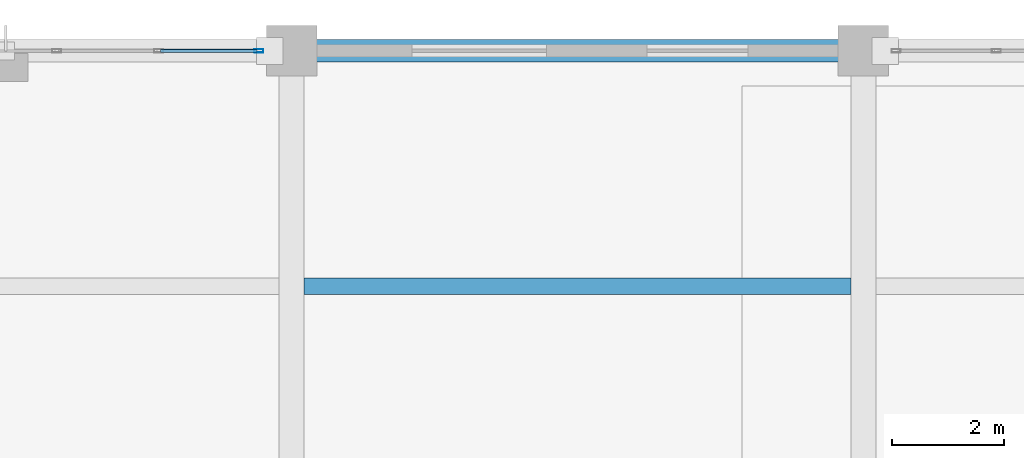
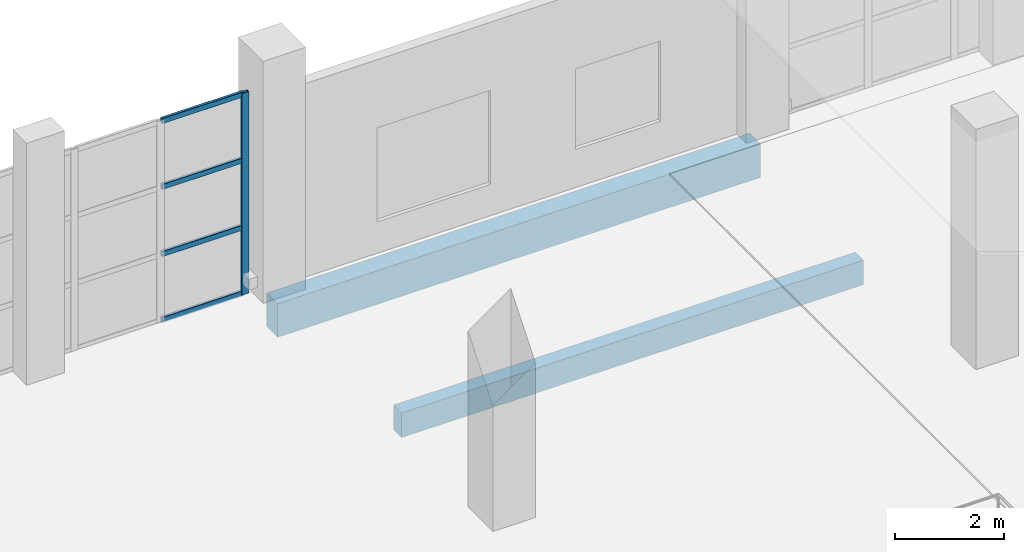
# One storey, part 89 of 175: 5 members, 2 beams, 1 element without a shape of its own.
"""IFC4 building model written with IfcOpenShell, lengths in metres."""

from ifc_helpers import new_model, si_unit, direction, frame, origin, origin_2d, place, context, subcontext, project, spatial, rectangle, hollow_rectangle, extrude, material, material_profile, profile_set, type_object, element, aggregate, save


model = new_model("IFC4")

# Units and contexts
model_context = context("Model", 3, precision=1e-05, world=origin(), true_north=direction((0.0, 1.0)))
body_context = subcontext(model_context, "Body", "Model", "MODEL_VIEW")
ifc_project = project(units=[si_unit("LENGTHUNIT", "METRE"), si_unit("AREAUNIT", "SQUARE_METRE"), si_unit("VOLUMEUNIT", "CUBIC_METRE"), si_unit("PLANEANGLEUNIT", "RADIAN"), si_unit("MASSUNIT", "GRAM", prefix="KILO")], contexts=[model_context])

# Site, building, storey
site_placement = place(None, origin())
site = spatial("IfcSite", under=ifc_project, at=site_placement, CompositionType="ELEMENT")
building_placement = place(site_placement, origin())
building = spatial("IfcBuilding", under=site, at=building_placement, Name="Brelvane Convention Centre", CompositionType="ELEMENT")
storey_placement = place(building_placement, frame((0.0, 0.0, 5.39990234375)))
storey = spatial("IfcBuildingStorey", under=building, at=storey_placement, Name="L01", CompositionType="ELEMENT", Elevation=5.39990234375)

# Curtain wall, members
ifc_material_1 = material(Name="Anodised Aluminium Alloy 6063-T6", Category="aluminium")
curtain_wall_type = type_object("IfcCurtainWallType", Name="Curtain Wall CW-BOUL", PredefinedType="USERDEFINED", material=ifc_material_1)
curtain_wall_placement = place(storey_placement, origin())
curtain_wall = element("IfcCurtainWall", 1, at=curtain_wall_placement, inside=storey, type_object=curtain_wall_type, Name="Curtain Wall CW-BOUL L01-V4N-04", ObjectType="UNITISED", PredefinedType="USERDEFINED")
ifc_material_2 = material(Name="Anodised Aluminium Alloy 6063-T6", Category="aluminium")
ifc_material_profile_1 = material_profile(ifc_material_2, hollow_rectangle(XDim=0.06494140625, YDim=0.159912109375, WallThickness=0.00390625, InnerFilletRadius=0.00390625, OuterFilletRadius=0.008056640625, at=origin_2d()), Name="ALU-M 160x65x4.0")
ifc_profile_set_1 = profile_set([ifc_material_profile_1], Name="Anodised Aluminium Alloy 6063-T6")
member_type_1 = type_object("IfcMemberType", Name="Curtain Mullion CW-M3", PredefinedType="MULLION", material=ifc_profile_set_1)
member_1_placement = place(storey_placement, frame((40.217529296875, 144.0, 0.0), z_axis=(0.0, 0.0, 1.0), x_axis=(0.0, 1.0, 0.0)))
member_1 = element("IfcMember", 2, at=member_1_placement, type_object=member_type_1, Name="CW-BOUL mullion 6", PredefinedType="MULLION", context=body_context, shape_type="SweptSolid", body=[
    extrude(hollow_rectangle(XDim=0.06494140625, YDim=0.159912109375, WallThickness=0.00390625, InnerFilletRadius=0.00390625, OuterFilletRadius=0.008056640625, at=origin_2d()), origin(), (0.0, 0.0, 1.0), 4.5),
])
ifc_material_3 = material(Name="Anodised Aluminium Alloy 6063-T6", Category="aluminium")
ifc_material_profile_2 = material_profile(ifc_material_3, hollow_rectangle(XDim=0.06005859375, YDim=0.1201171875, WallThickness=0.00390625, InnerFilletRadius=0.00390625, OuterFilletRadius=0.008056640625, at=origin_2d()), Name="ALU-T 120x60x4.0")
ifc_profile_set_2 = profile_set([ifc_material_profile_2], Name="Anodised Aluminium Alloy 6063-T6")
member_type_2 = type_object("IfcMemberType", Name="Curtain Transom CW-T3", PredefinedType="USERDEFINED", material=ifc_profile_set_2)
member_2_placement = place(storey_placement, frame((38.46240234375, 144.0, 0.030029296875), z_axis=(1.0, 0.0, 0.0), x_axis=(0.0, 1.0, 0.0)))
member_2 = element("IfcMember", 3, at=member_2_placement, type_object=member_type_2, Name="CW-BOUL transom 5.1", ObjectType="TRANSOM", PredefinedType="USERDEFINED", context=body_context, shape_type="SweptSolid", body=[
    extrude(hollow_rectangle(XDim=0.06005859375, YDim=0.1201171875, WallThickness=0.00390625, InnerFilletRadius=0.00390625, OuterFilletRadius=0.008056640625, at=origin_2d()), origin(), (0.0, 0.0, 1.0), 1.72265625),
])
member_3_placement = place(storey_placement, frame((38.46240234375, 144.0, 1.5), z_axis=(1.0, 0.0, 0.0), x_axis=(0.0, 1.0, 0.0)))
member_3 = element("IfcMember", 4, at=member_3_placement, type_object=member_type_2, Name="CW-BOUL transom 5.2", ObjectType="TRANSOM", PredefinedType="USERDEFINED", context=body_context, shape_type="SweptSolid", body=[
    extrude(hollow_rectangle(XDim=0.06005859375, YDim=0.1201171875, WallThickness=0.00390625, InnerFilletRadius=0.00390625, OuterFilletRadius=0.008056640625, at=origin_2d()), origin(), (0.0, 0.0, 1.0), 1.72265625),
])
member_4_placement = place(storey_placement, frame((38.46240234375, 144.0, 3.0), z_axis=(1.0, 0.0, 0.0), x_axis=(0.0, 1.0, 0.0)))
member_4 = element("IfcMember", 5, at=member_4_placement, type_object=member_type_2, Name="CW-BOUL transom 5.3", ObjectType="TRANSOM", PredefinedType="USERDEFINED", context=body_context, shape_type="SweptSolid", body=[
    extrude(hollow_rectangle(XDim=0.06005859375, YDim=0.1201171875, WallThickness=0.00390625, InnerFilletRadius=0.00390625, OuterFilletRadius=0.008056640625, at=origin_2d()), origin(), (0.0, 0.0, 1.0), 1.72265625),
])
member_5_placement = place(storey_placement, frame((38.46240234375, 144.0, 4.47021484375), z_axis=(1.0, 0.0, 0.0), x_axis=(0.0, 1.0, 0.0)))
member_5 = element("IfcMember", 6, at=member_5_placement, type_object=member_type_2, Name="CW-BOUL transom 5.4", ObjectType="TRANSOM", PredefinedType="USERDEFINED", context=body_context, shape_type="SweptSolid", body=[
    extrude(hollow_rectangle(XDim=0.06005859375, YDim=0.1201171875, WallThickness=0.00390625, InnerFilletRadius=0.00390625, OuterFilletRadius=0.008056640625, at=origin_2d()), origin(), (0.0, 0.0, 1.0), 1.72265625),
])
aggregate(curtain_wall, [member_1, member_2, member_3, member_4, member_5])

# Beams
ifc_material_4 = material(Name="Concrete M40", Category="concrete")
ifc_material_profile_3 = material_profile(ifc_material_4, rectangle(XDim=0.300048828125, YDim=0.550048828125, at=origin_2d()), Name="RC 300x550")
ifc_profile_set_3 = profile_set([ifc_material_profile_3], Name="Concrete M40")
beam_type_1 = type_object("IfcBeamType", Name="RC Joist J-RC1 (RC 300x550)", PredefinedType="JOIST", material=ifc_profile_set_3)
beam_1_placement = place(storey_placement, frame((41.02490234375, 139.800048828125, -0.594970703125), z_axis=(1.0, 0.0, 0.0), x_axis=(0.0, 1.0, 0.0)))
element("IfcBeam", 7, at=beam_1_placement, inside=storey, type_object=beam_type_1, Name="L01 Secondary Joist 5-6/PQ", PredefinedType="JOIST", context=body_context, shape_type="SweptSolid", body=[
    extrude(rectangle(XDim=0.300048828125, YDim=0.550048828125, at=origin_2d()), origin(), (0.0, 0.0, 1.0), 9.75),
])
ifc_material_5 = material(Name="Concrete M40", Category="concrete")
ifc_material_profile_4 = material_profile(ifc_material_5, rectangle(XDim=0.39990234375, YDim=0.75, at=origin_2d()), Name="RC 400x750")
ifc_profile_set_4 = profile_set([ifc_material_profile_4], Name="Concrete M40")
beam_type_2 = type_object("IfcBeamType", Name="RC Spandrel SP-RC1 (RC 400x750)", PredefinedType="SPANDREL", material=ifc_profile_set_4)
beam_2_placement = place(storey_placement, frame((40.800048828125, 144.0, -0.69482421875), z_axis=(1.0, 0.0, 0.0), x_axis=(0.0, 1.0, 0.0)))
element("IfcBeam", 8, at=beam_2_placement, inside=storey, type_object=beam_type_2, Name="L01 Beam 5-6/Q", PredefinedType="SPANDREL", context=body_context, shape_type="SweptSolid", body=[
    extrude(rectangle(XDim=0.39990234375, YDim=0.75, at=origin_2d()), origin(), (0.0, 0.0, 1.0), 10.199951171875),
])

save(model, "model.ifc")
